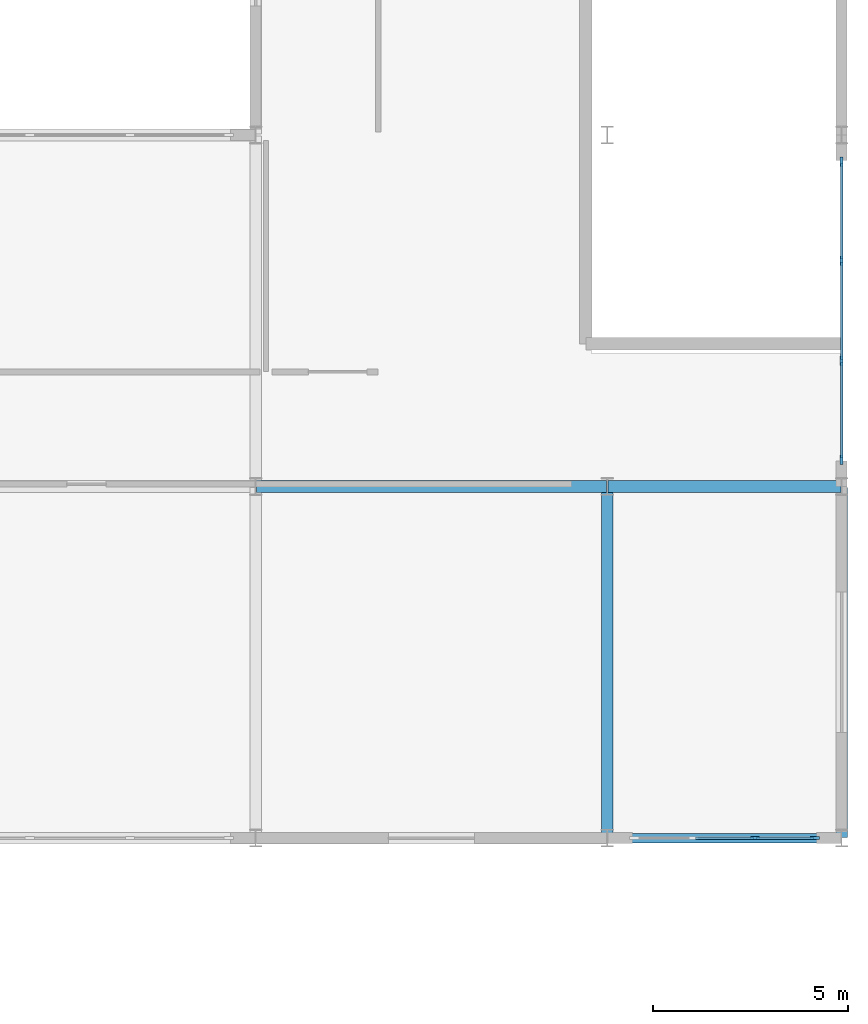
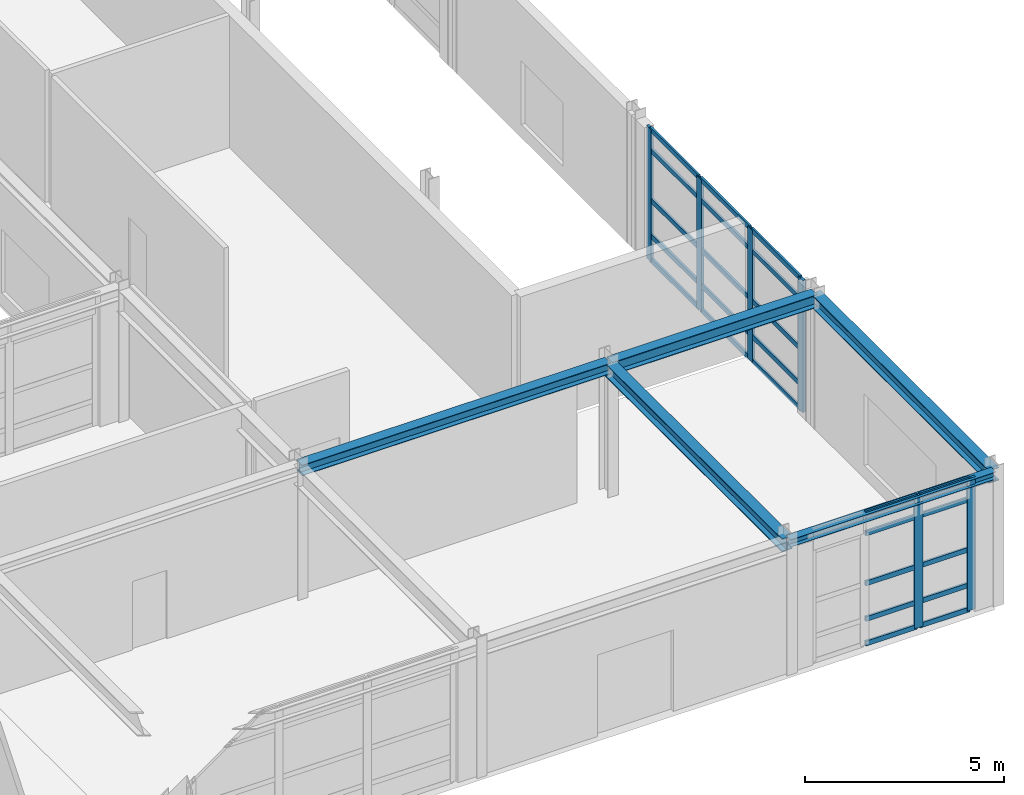
# One storey, part 39 of 72: 31 members, 5 beams, 2 elements without a shape of their own.
"""IFC4 building model written with IfcOpenShell, lengths in metres."""

from ifc_helpers import new_model, si_unit, direction, frame, origin, origin_2d, place, context, subcontext, project, spatial, rectangle, i_section, extrude, material, material_profile, profile_set, type_object, element, aggregate, save


model = new_model("IFC4")

# Units and contexts
model_context = context("Model", 3, precision=1e-05, world=origin(), true_north=direction((0.0, 1.0)))
body_context = subcontext(model_context, "Body", "Model", "MODEL_VIEW")
ifc_project = project(units=[si_unit("LENGTHUNIT", "METRE"), si_unit("AREAUNIT", "SQUARE_METRE"), si_unit("VOLUMEUNIT", "CUBIC_METRE"), si_unit("PLANEANGLEUNIT", "RADIAN"), si_unit("MASSUNIT", "GRAM", prefix="KILO")], contexts=[model_context])

# Site, building, storey
site_placement = place(None, origin())
site = spatial("IfcSite", under=ifc_project, at=site_placement, CompositionType="ELEMENT")
building_placement = place(site_placement, origin())
building = spatial("IfcBuilding", under=site, at=building_placement, Name="Palais des Congres Ocreval", CompositionType="ELEMENT")
storey_placement = place(building_placement, origin())
storey = spatial("IfcBuildingStorey", under=building, at=storey_placement, Name="L00", CompositionType="ELEMENT", Elevation=0.0)

# Curtain wall, members
ifc_material_1 = material(Name="Anodized bronze aluminium and low-E glass", Category="glass")
curtain_wall_type_1 = type_object("IfcCurtainWallType", Name="Unitised Curtain Wall 7900x4060", PredefinedType="USERDEFINED", material=ifc_material_1)
curtain_wall_1_placement = place(storey_placement, origin())
curtain_wall_1 = element("IfcCurtainWall", 1, at=curtain_wall_1_placement, inside=storey, type_object=curtain_wall_type_1, Name="Unitised Curtain Wall CW01 L00", ObjectType="UNITISED CURTAIN WALL", PredefinedType="USERDEFINED")
ifc_material_2 = material(Name="Anodized bronze aluminium", Category="aluminium")
ifc_material_profile_1 = material_profile(ifc_material_2, rectangle(XDim=0.074951171875, YDim=0.239990234375, at=origin_2d()), Name="ALU 75x240")
ifc_profile_set_1 = profile_set([ifc_material_profile_1], Name="Anodized bronze aluminium")
member_type_1 = type_object("IfcMemberType", Name="Curtain Wall Mullion ALU 75x240", PredefinedType="MULLION", material=ifc_profile_set_1)
member_1_placement = place(storey_placement, frame((168.0, 17.3125, 0.0), z_axis=(0.0, 0.0, 1.0), x_axis=(1.0, 0.0, 0.0)))
member_1 = element("IfcMember", 2, at=member_1_placement, type_object=member_type_1, Name="Curtain Wall Mullion ML01", PredefinedType="MULLION", context=body_context, shape_type="SweptSolid", body=[
    extrude(rectangle(XDim=0.074951171875, YDim=0.239990234375, at=origin_2d()), origin(), (0.0, 0.0, 1.0), 4.054931640625),
])
member_2_placement = place(storey_placement, frame((168.0, 14.783203125, 0.0), z_axis=(0.0, 0.0, 1.0), x_axis=(1.0, 0.0, 0.0)))
member_2 = element("IfcMember", 3, at=member_2_placement, type_object=member_type_1, Name="Curtain Wall Mullion ML01", PredefinedType="MULLION", context=body_context, shape_type="SweptSolid", body=[
    extrude(rectangle(XDim=0.074951171875, YDim=0.239990234375, at=origin_2d()), origin(), (0.0, 0.0, 1.0), 4.054931640625),
])
member_3_placement = place(storey_placement, frame((168.0, 12.216796875, 0.0), z_axis=(0.0, 0.0, 1.0), x_axis=(1.0, 0.0, 0.0)))
member_3 = element("IfcMember", 4, at=member_3_placement, type_object=member_type_1, Name="Curtain Wall Mullion ML01", PredefinedType="MULLION", context=body_context, shape_type="SweptSolid", body=[
    extrude(rectangle(XDim=0.074951171875, YDim=0.239990234375, at=origin_2d()), origin(), (0.0, 0.0, 1.0), 4.054931640625),
])
member_4_placement = place(storey_placement, frame((168.0, 9.6875, 0.0), z_axis=(0.0, 0.0, 1.0), x_axis=(1.0, 0.0, 0.0)))
member_4 = element("IfcMember", 5, at=member_4_placement, type_object=member_type_1, Name="Curtain Wall Mullion ML01", PredefinedType="MULLION", context=body_context, shape_type="SweptSolid", body=[
    extrude(rectangle(XDim=0.074951171875, YDim=0.239990234375, at=origin_2d()), origin(), (0.0, 0.0, 1.0), 4.054931640625),
])

curtain_wall_type_2 = type_object("IfcCurtainWallType", Name="Unitised Curtain Wall 5800x3280", PredefinedType="USERDEFINED", material=ifc_material_1)
curtain_wall_2_placement = place(storey_placement, origin())
curtain_wall_2 = element("IfcCurtainWall", 6, at=curtain_wall_2_placement, inside=storey, type_object=curtain_wall_type_2, Name="Unitised Curtain Wall CW14 L00", ObjectType="UNITISED CURTAIN WALL", PredefinedType="USERDEFINED")
member_5_placement = place(storey_placement, frame((167.3125, 0.0, 0.0), z_axis=(0.0, 0.0, 1.0), x_axis=(0.0, -1.0, 0.0)))
member_5 = element("IfcMember", 7, at=member_5_placement, type_object=member_type_1, Name="Curtain Wall Mullion ML01", PredefinedType="MULLION", context=body_context, shape_type="SweptSolid", body=[
    extrude(rectangle(XDim=0.074951171875, YDim=0.239990234375, at=origin_2d()), origin(), (0.0, 0.0, 1.0), 4.054931640625),
])
member_6_placement = place(storey_placement, frame((165.783203125, 0.0, 0.0), z_axis=(0.0, 0.0, 1.0), x_axis=(0.0, -1.0, 0.0)))
member_6 = element("IfcMember", 8, at=member_6_placement, type_object=member_type_1, Name="Curtain Wall Mullion ML01", PredefinedType="MULLION", context=body_context, shape_type="SweptSolid", body=[
    extrude(rectangle(XDim=0.074951171875, YDim=0.239990234375, at=origin_2d()), origin(), (0.0, 0.0, 1.0), 4.054931640625),
])

# Member
ifc_material_profile_2 = material_profile(ifc_material_2, rectangle(XDim=0.06005859375, YDim=0.14990234375, at=origin_2d()), Name="ALU 60x150")
ifc_profile_set_2 = profile_set([ifc_material_profile_2], Name="Anodized bronze aluminium")
member_type_2 = type_object("IfcMemberType", Name="Curtain Wall Transom ALU 60x150", PredefinedType="USERDEFINED", material=ifc_profile_set_2)
member_7_placement = place(storey_placement, frame((168.0, 17.27490234375, 0.030029296875), z_axis=(0.0, -1.0, 0.0), x_axis=(1.0, 0.0, 0.0)))
member_7 = element("IfcMember", 9, at=member_7_placement, type_object=member_type_2, Name="Curtain Wall Transom TR01", ObjectType="TRANSOM", PredefinedType="USERDEFINED", context=body_context, shape_type="SweptSolid", body=[
    extrude(rectangle(XDim=0.06005859375, YDim=0.14990234375, at=origin_2d()), origin(), (0.0, 0.0, 1.0), 2.4541015625),
])

member_8_placement = place(storey_placement, frame((168.0, 17.27490234375, 0.780029296875), z_axis=(0.0, -1.0, 0.0), x_axis=(1.0, 0.0, 0.0)))
member_8 = element("IfcMember", 10, at=member_8_placement, type_object=member_type_2, Name="Curtain Wall Transom TR01", ObjectType="TRANSOM", PredefinedType="USERDEFINED", context=body_context, shape_type="SweptSolid", body=[
    extrude(rectangle(XDim=0.06005859375, YDim=0.14990234375, at=origin_2d()), origin(), (0.0, 0.0, 1.0), 2.4541015625),
])

member_9_placement = place(storey_placement, frame((168.0, 17.27490234375, 1.872802734375), z_axis=(0.0, -1.0, 0.0), x_axis=(1.0, 0.0, 0.0)))
member_9 = element("IfcMember", 11, at=member_9_placement, type_object=member_type_2, Name="Curtain Wall Transom TR01", ObjectType="TRANSOM", PredefinedType="USERDEFINED", context=body_context, shape_type="SweptSolid", body=[
    extrude(rectangle(XDim=0.06005859375, YDim=0.14990234375, at=origin_2d()), origin(), (0.0, 0.0, 1.0), 2.4541015625),
])

member_10_placement = place(storey_placement, frame((168.0, 17.27490234375, 3.405029296875), z_axis=(0.0, -1.0, 0.0), x_axis=(1.0, 0.0, 0.0)))
member_10 = element("IfcMember", 12, at=member_10_placement, type_object=member_type_2, Name="Curtain Wall Transom TR01", ObjectType="TRANSOM", PredefinedType="USERDEFINED", context=body_context, shape_type="SweptSolid", body=[
    extrude(rectangle(XDim=0.06005859375, YDim=0.14990234375, at=origin_2d()), origin(), (0.0, 0.0, 1.0), 2.4541015625),
])

member_11_placement = place(storey_placement, frame((168.0, 17.27490234375, 4.02490234375), z_axis=(0.0, -1.0, 0.0), x_axis=(1.0, 0.0, 0.0)))
member_11 = element("IfcMember", 13, at=member_11_placement, type_object=member_type_2, Name="Curtain Wall Transom TR01", ObjectType="TRANSOM", PredefinedType="USERDEFINED", context=body_context, shape_type="SweptSolid", body=[
    extrude(rectangle(XDim=0.06005859375, YDim=0.14990234375, at=origin_2d()), origin(), (0.0, 0.0, 1.0), 2.4541015625),
])

member_12_placement = place(storey_placement, frame((168.0, 14.745849609375, 0.030029296875), z_axis=(0.0, -1.0, 0.0), x_axis=(1.0, 0.0, 0.0)))
member_12 = element("IfcMember", 14, at=member_12_placement, type_object=member_type_2, Name="Curtain Wall Transom TR01", ObjectType="TRANSOM", PredefinedType="USERDEFINED", context=body_context, shape_type="SweptSolid", body=[
    extrude(rectangle(XDim=0.06005859375, YDim=0.14990234375, at=origin_2d()), origin(), (0.0, 0.0, 1.0), 2.49169921875),
])

member_13_placement = place(storey_placement, frame((168.0, 14.745849609375, 0.780029296875), z_axis=(0.0, -1.0, 0.0), x_axis=(1.0, 0.0, 0.0)))
member_13 = element("IfcMember", 15, at=member_13_placement, type_object=member_type_2, Name="Curtain Wall Transom TR01", ObjectType="TRANSOM", PredefinedType="USERDEFINED", context=body_context, shape_type="SweptSolid", body=[
    extrude(rectangle(XDim=0.06005859375, YDim=0.14990234375, at=origin_2d()), origin(), (0.0, 0.0, 1.0), 2.49169921875),
])

member_14_placement = place(storey_placement, frame((168.0, 14.745849609375, 1.872802734375), z_axis=(0.0, -1.0, 0.0), x_axis=(1.0, 0.0, 0.0)))
member_14 = element("IfcMember", 16, at=member_14_placement, type_object=member_type_2, Name="Curtain Wall Transom TR01", ObjectType="TRANSOM", PredefinedType="USERDEFINED", context=body_context, shape_type="SweptSolid", body=[
    extrude(rectangle(XDim=0.06005859375, YDim=0.14990234375, at=origin_2d()), origin(), (0.0, 0.0, 1.0), 2.49169921875),
])

member_15_placement = place(storey_placement, frame((168.0, 14.745849609375, 3.405029296875), z_axis=(0.0, -1.0, 0.0), x_axis=(1.0, 0.0, 0.0)))
member_15 = element("IfcMember", 17, at=member_15_placement, type_object=member_type_2, Name="Curtain Wall Transom TR01", ObjectType="TRANSOM", PredefinedType="USERDEFINED", context=body_context, shape_type="SweptSolid", body=[
    extrude(rectangle(XDim=0.06005859375, YDim=0.14990234375, at=origin_2d()), origin(), (0.0, 0.0, 1.0), 2.49169921875),
])

member_16_placement = place(storey_placement, frame((168.0, 14.745849609375, 4.02490234375), z_axis=(0.0, -1.0, 0.0), x_axis=(1.0, 0.0, 0.0)))
member_16 = element("IfcMember", 18, at=member_16_placement, type_object=member_type_2, Name="Curtain Wall Transom TR01", ObjectType="TRANSOM", PredefinedType="USERDEFINED", context=body_context, shape_type="SweptSolid", body=[
    extrude(rectangle(XDim=0.06005859375, YDim=0.14990234375, at=origin_2d()), origin(), (0.0, 0.0, 1.0), 2.49169921875),
])

member_17_placement = place(storey_placement, frame((168.0, 12.17919921875, 0.030029296875), z_axis=(0.0, -1.0, 0.0), x_axis=(1.0, 0.0, 0.0)))
member_17 = element("IfcMember", 19, at=member_17_placement, type_object=member_type_2, Name="Curtain Wall Transom TR01", ObjectType="TRANSOM", PredefinedType="USERDEFINED", context=body_context, shape_type="SweptSolid", body=[
    extrude(rectangle(XDim=0.06005859375, YDim=0.14990234375, at=origin_2d()), origin(), (0.0, 0.0, 1.0), 2.4541015625),
])

member_18_placement = place(storey_placement, frame((168.0, 12.17919921875, 0.780029296875), z_axis=(0.0, -1.0, 0.0), x_axis=(1.0, 0.0, 0.0)))
member_18 = element("IfcMember", 20, at=member_18_placement, type_object=member_type_2, Name="Curtain Wall Transom TR01", ObjectType="TRANSOM", PredefinedType="USERDEFINED", context=body_context, shape_type="SweptSolid", body=[
    extrude(rectangle(XDim=0.06005859375, YDim=0.14990234375, at=origin_2d()), origin(), (0.0, 0.0, 1.0), 2.4541015625),
])

member_19_placement = place(storey_placement, frame((168.0, 12.17919921875, 1.872802734375), z_axis=(0.0, -1.0, 0.0), x_axis=(1.0, 0.0, 0.0)))
member_19 = element("IfcMember", 21, at=member_19_placement, type_object=member_type_2, Name="Curtain Wall Transom TR01", ObjectType="TRANSOM", PredefinedType="USERDEFINED", context=body_context, shape_type="SweptSolid", body=[
    extrude(rectangle(XDim=0.06005859375, YDim=0.14990234375, at=origin_2d()), origin(), (0.0, 0.0, 1.0), 2.4541015625),
])

member_20_placement = place(storey_placement, frame((168.0, 12.17919921875, 3.405029296875), z_axis=(0.0, -1.0, 0.0), x_axis=(1.0, 0.0, 0.0)))
member_20 = element("IfcMember", 22, at=member_20_placement, type_object=member_type_2, Name="Curtain Wall Transom TR01", ObjectType="TRANSOM", PredefinedType="USERDEFINED", context=body_context, shape_type="SweptSolid", body=[
    extrude(rectangle(XDim=0.06005859375, YDim=0.14990234375, at=origin_2d()), origin(), (0.0, 0.0, 1.0), 2.4541015625),
])

member_21_placement = place(storey_placement, frame((168.0, 12.17919921875, 4.02490234375), z_axis=(0.0, -1.0, 0.0), x_axis=(1.0, 0.0, 0.0)))
member_21 = element("IfcMember", 23, at=member_21_placement, type_object=member_type_2, Name="Curtain Wall Transom TR01", ObjectType="TRANSOM", PredefinedType="USERDEFINED", context=body_context, shape_type="SweptSolid", body=[
    extrude(rectangle(XDim=0.06005859375, YDim=0.14990234375, at=origin_2d()), origin(), (0.0, 0.0, 1.0), 2.4541015625),
])

aggregate(curtain_wall_1, [member_1, member_2, member_3, member_4, member_7, member_8, member_9, member_10, member_11, member_12, member_13, member_14, member_15, member_16, member_17, member_18, member_19, member_20, member_21])

member_22_placement = place(storey_placement, frame((167.27490234375, 0.0, 0.030029296875), z_axis=(-1.0, 0.0, 0.0), x_axis=(0.0, -1.0, 0.0)))
member_22 = element("IfcMember", 24, at=member_22_placement, type_object=member_type_2, Name="Curtain Wall Transom TR01", ObjectType="TRANSOM", PredefinedType="USERDEFINED", context=body_context, shape_type="SweptSolid", body=[
    extrude(rectangle(XDim=0.06005859375, YDim=0.14990234375, at=origin_2d()), origin(), (0.0, 0.0, 1.0), 1.4541015625),
])

member_23_placement = place(storey_placement, frame((167.27490234375, 0.0, 0.780029296875), z_axis=(-1.0, 0.0, 0.0), x_axis=(0.0, -1.0, 0.0)))
member_23 = element("IfcMember", 25, at=member_23_placement, type_object=member_type_2, Name="Curtain Wall Transom TR01", ObjectType="TRANSOM", PredefinedType="USERDEFINED", context=body_context, shape_type="SweptSolid", body=[
    extrude(rectangle(XDim=0.06005859375, YDim=0.14990234375, at=origin_2d()), origin(), (0.0, 0.0, 1.0), 1.4541015625),
])

member_24_placement = place(storey_placement, frame((167.27490234375, 0.0, 1.872802734375), z_axis=(-1.0, 0.0, 0.0), x_axis=(0.0, -1.0, 0.0)))
member_24 = element("IfcMember", 26, at=member_24_placement, type_object=member_type_2, Name="Curtain Wall Transom TR01", ObjectType="TRANSOM", PredefinedType="USERDEFINED", context=body_context, shape_type="SweptSolid", body=[
    extrude(rectangle(XDim=0.06005859375, YDim=0.14990234375, at=origin_2d()), origin(), (0.0, 0.0, 1.0), 1.4541015625),
])

member_25_placement = place(storey_placement, frame((167.27490234375, 0.0, 3.405029296875), z_axis=(-1.0, 0.0, 0.0), x_axis=(0.0, -1.0, 0.0)))
member_25 = element("IfcMember", 27, at=member_25_placement, type_object=member_type_2, Name="Curtain Wall Transom TR01", ObjectType="TRANSOM", PredefinedType="USERDEFINED", context=body_context, shape_type="SweptSolid", body=[
    extrude(rectangle(XDim=0.06005859375, YDim=0.14990234375, at=origin_2d()), origin(), (0.0, 0.0, 1.0), 1.4541015625),
])

member_26_placement = place(storey_placement, frame((167.27490234375, 0.0, 4.02490234375), z_axis=(-1.0, 0.0, 0.0), x_axis=(0.0, -1.0, 0.0)))
member_26 = element("IfcMember", 28, at=member_26_placement, type_object=member_type_2, Name="Curtain Wall Transom TR01", ObjectType="TRANSOM", PredefinedType="USERDEFINED", context=body_context, shape_type="SweptSolid", body=[
    extrude(rectangle(XDim=0.06005859375, YDim=0.14990234375, at=origin_2d()), origin(), (0.0, 0.0, 1.0), 1.4541015625),
])

member_27_placement = place(storey_placement, frame((165.745849609375, 0.0, 0.030029296875), z_axis=(-1.0, 0.0, 0.0), x_axis=(0.0, -1.0, 0.0)))
member_27 = element("IfcMember", 29, at=member_27_placement, type_object=member_type_2, Name="Curtain Wall Transom TR01", ObjectType="TRANSOM", PredefinedType="USERDEFINED", context=body_context, shape_type="SweptSolid", body=[
    extrude(rectangle(XDim=0.06005859375, YDim=0.14990234375, at=origin_2d()), origin(), (0.0, 0.0, 1.0), 1.49169921875),
])

member_28_placement = place(storey_placement, frame((165.745849609375, 0.0, 0.780029296875), z_axis=(-1.0, 0.0, 0.0), x_axis=(0.0, -1.0, 0.0)))
member_28 = element("IfcMember", 30, at=member_28_placement, type_object=member_type_2, Name="Curtain Wall Transom TR01", ObjectType="TRANSOM", PredefinedType="USERDEFINED", context=body_context, shape_type="SweptSolid", body=[
    extrude(rectangle(XDim=0.06005859375, YDim=0.14990234375, at=origin_2d()), origin(), (0.0, 0.0, 1.0), 1.49169921875),
])

member_29_placement = place(storey_placement, frame((165.745849609375, 0.0, 1.872802734375), z_axis=(-1.0, 0.0, 0.0), x_axis=(0.0, -1.0, 0.0)))
member_29 = element("IfcMember", 31, at=member_29_placement, type_object=member_type_2, Name="Curtain Wall Transom TR01", ObjectType="TRANSOM", PredefinedType="USERDEFINED", context=body_context, shape_type="SweptSolid", body=[
    extrude(rectangle(XDim=0.06005859375, YDim=0.14990234375, at=origin_2d()), origin(), (0.0, 0.0, 1.0), 1.49169921875),
])

member_30_placement = place(storey_placement, frame((165.745849609375, 0.0, 3.405029296875), z_axis=(-1.0, 0.0, 0.0), x_axis=(0.0, -1.0, 0.0)))
member_30 = element("IfcMember", 32, at=member_30_placement, type_object=member_type_2, Name="Curtain Wall Transom TR01", ObjectType="TRANSOM", PredefinedType="USERDEFINED", context=body_context, shape_type="SweptSolid", body=[
    extrude(rectangle(XDim=0.06005859375, YDim=0.14990234375, at=origin_2d()), origin(), (0.0, 0.0, 1.0), 1.49169921875),
])

member_31_placement = place(storey_placement, frame((165.745849609375, 0.0, 4.02490234375), z_axis=(-1.0, 0.0, 0.0), x_axis=(0.0, -1.0, 0.0)))
member_31 = element("IfcMember", 33, at=member_31_placement, type_object=member_type_2, Name="Curtain Wall Transom TR01", ObjectType="TRANSOM", PredefinedType="USERDEFINED", context=body_context, shape_type="SweptSolid", body=[
    extrude(rectangle(XDim=0.06005859375, YDim=0.14990234375, at=origin_2d()), origin(), (0.0, 0.0, 1.0), 1.49169921875),
])

aggregate(curtain_wall_2, [member_5, member_6, member_22, member_23, member_24, member_25, member_26, member_27, member_28, member_29, member_30, member_31])

# Beams
ifc_material_3 = material(Name="Steel S355", Category="steel")
ifc_material_profile_3 = material_profile(ifc_material_3, i_section(OverallWidth=0.239990234375, OverallDepth=0.22998046875, WebThickness=0.007568359375, FlangeThickness=0.011962890625, at=origin_2d()), Name="HEA 240")
ifc_profile_set_3 = profile_set([ifc_material_profile_3], Name="Steel S355")
beam_type_1 = type_object("IfcBeamType", Name="Perimeter Spandrel HEA 240 Steel S355", PredefinedType="SPANDREL", material=ifc_profile_set_3)
beam_1_placement = place(storey_placement, frame((162.02001953125, 0.0, 3.93994140625), z_axis=(1.0, 0.0, 0.0), x_axis=(0.0, 1.0, 0.0)))
element("IfcBeam", 34, at=beam_1_placement, inside=storey, type_object=beam_type_1, Name="Beam SP01 L00", PredefinedType="SPANDREL", context=body_context, shape_type="SweptSolid", body=[
    extrude(i_section(OverallWidth=0.239990234375, OverallDepth=0.22998046875, WebThickness=0.007568359375, FlangeThickness=0.011962890625, at=origin_2d()), origin(), (0.0, 0.0, 1.0), 5.9599609375),
])
ifc_material_profile_4 = material_profile(ifc_material_3, i_section(OverallWidth=0.300048828125, OverallDepth=0.39990234375, WebThickness=0.013427734375, FlangeThickness=0.02392578125, at=origin_2d()), Name="HEB 400")
ifc_profile_set_4 = profile_set([ifc_material_profile_4], Name="Steel S355")
beam_type_2 = type_object("IfcBeamType", Name="Perimeter Spandrel HEB 400 Steel S355", PredefinedType="SPANDREL", material=ifc_profile_set_4)
for number, where, z_axis, x_axis, name in (
    (35, (162.0, 0.02001953125, 3.85498046875), (0.0, 1.0, 0.0), (-1.0, 0.0, 0.0), "Girder SP04 L00"),
    (36, (168.0, 0.02001953125, 3.85498046875), (0.0, 1.0, 0.0), (-1.0, 0.0, 0.0), "Girder SP04 L00"),
):
    element("IfcBeam", number, at=place(storey_placement, frame(where, z_axis=z_axis, x_axis=x_axis)), inside=storey, type_object=beam_type_2, Name=name, PredefinedType="SPANDREL", context=body_context, shape_type="SweptSolid", body=[
        extrude(i_section(OverallWidth=0.300048828125, OverallDepth=0.39990234375, WebThickness=0.013427734375, FlangeThickness=0.02392578125, at=origin_2d()), origin(), (0.0, 0.0, 1.0), 8.9599609375),
    ])
ifc_material_profile_5 = material_profile(ifc_material_3, i_section(OverallWidth=0.300048828125, OverallDepth=0.330078125, WebThickness=0.009521484375, FlangeThickness=0.0166015625, at=origin_2d()), Name="HEA 340")
ifc_profile_set_5 = profile_set([ifc_material_profile_5], Name="Steel S355")
beam_type_3 = type_object("IfcBeamType", Name="Primary Beam HEA 340 Steel S355", PredefinedType="BEAM", material=ifc_profile_set_5)
beam_2_placement = place(storey_placement, frame((153.02001953125, 9.0, 3.889892578125), z_axis=(1.0, 0.0, 0.0), x_axis=(0.0, 1.0, 0.0)))
element("IfcBeam", 37, at=beam_2_placement, inside=storey, type_object=beam_type_3, Name="Beam B09 L00", PredefinedType="BEAM", context=body_context, shape_type="SweptSolid", body=[
    extrude(i_section(OverallWidth=0.300048828125, OverallDepth=0.330078125, WebThickness=0.009521484375, FlangeThickness=0.0166015625, at=origin_2d()), origin(), (0.0, 0.0, 1.0), 8.9599609375),
])
ifc_material_profile_6 = material_profile(ifc_material_3, i_section(OverallWidth=0.300048828125, OverallDepth=0.389892578125, WebThickness=0.010986328125, FlangeThickness=0.01904296875, at=origin_2d()), Name="HEA 400")
ifc_profile_set_6 = profile_set([ifc_material_profile_6], Name="Steel S355")
beam_type_4 = type_object("IfcBeamType", Name="Primary Beam HEA 400 Steel S355", PredefinedType="BEAM", material=ifc_profile_set_6)
beam_3_placement = place(storey_placement, frame((162.02001953125, 9.0, 3.860107421875), z_axis=(1.0, 0.0, 0.0), x_axis=(0.0, 1.0, 0.0)))
element("IfcBeam", 38, at=beam_3_placement, inside=storey, type_object=beam_type_4, Name="Beam B10 L00", PredefinedType="BEAM", context=body_context, shape_type="SweptSolid", body=[
    extrude(i_section(OverallWidth=0.300048828125, OverallDepth=0.389892578125, WebThickness=0.010986328125, FlangeThickness=0.01904296875, at=origin_2d()), origin(), (0.0, 0.0, 1.0), 5.9599609375),
])

save(model, "model.ifc")
